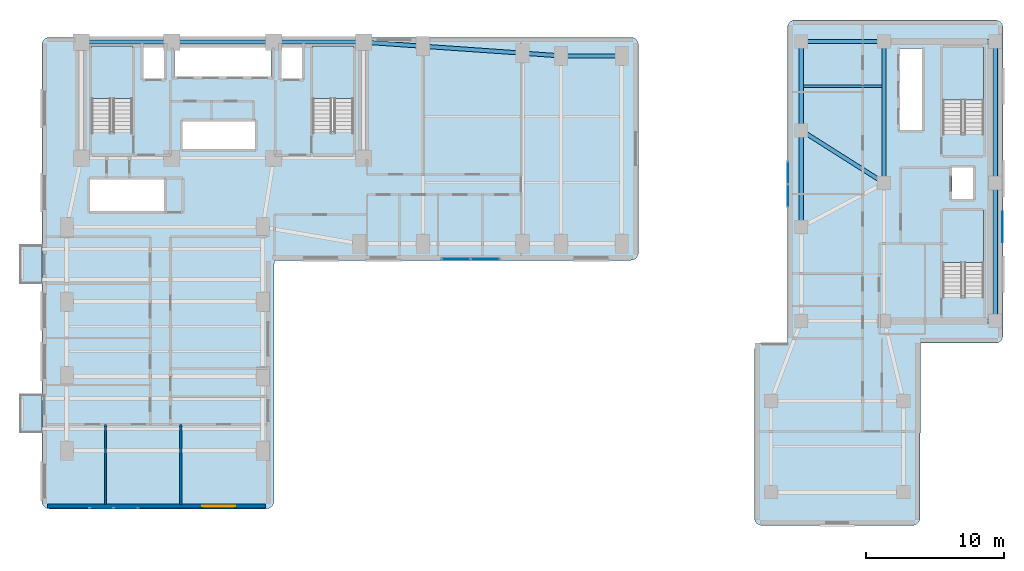
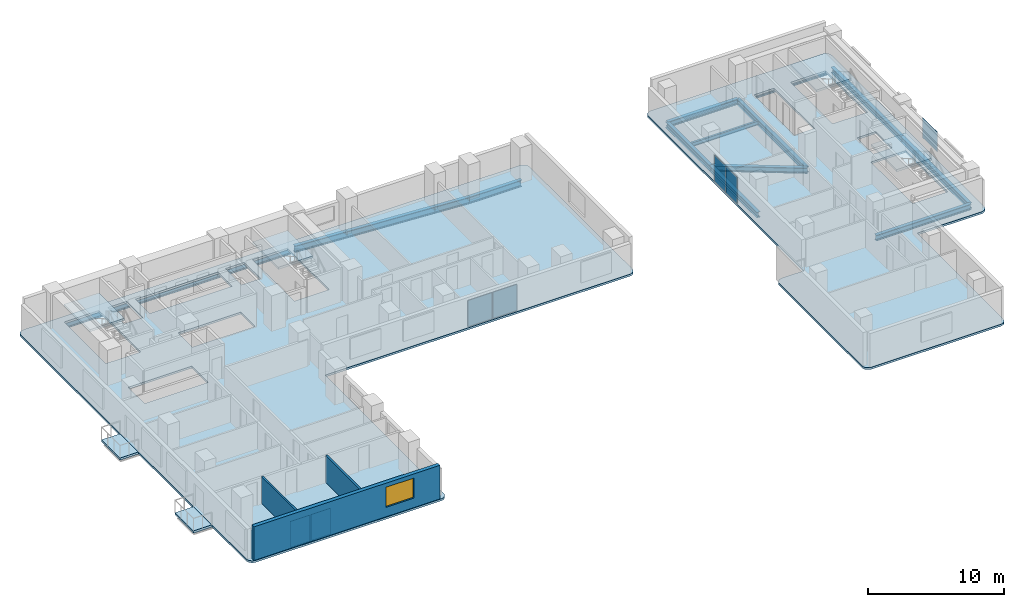
# One storey, part 9 of 18: 17 beams, 8 slabs, 7 plates, 3 walls, 1 window, 1 opening, 7 elements without a shape of their own.
"""IFC4 building model written with IfcOpenShell, lengths in metres."""

from ifc_helpers import new_model, si_unit, direction, frame, frame_2d, origin, origin_2d, place, context, subcontext, project, spatial, polyline, rectangle, i_section, outline, extrude, material, layer, layer_set, material_profile, profile_set, type_object, element, fill, aggregate, save


model = new_model("IFC4")

# Units and contexts
model_context = context("Model", 3, precision=1e-05, world=origin(), true_north=direction((0.0, 1.0)))
body_context = subcontext(model_context, "Body", "Model", "MODEL_VIEW")
ifc_project = project(units=[si_unit("LENGTHUNIT", "METRE"), si_unit("AREAUNIT", "SQUARE_METRE"), si_unit("VOLUMEUNIT", "CUBIC_METRE"), si_unit("PLANEANGLEUNIT", "RADIAN"), si_unit("MASSUNIT", "GRAM", prefix="KILO")], contexts=[model_context])

# Site, building, storey
site_placement = place(None, origin())
site = spatial("IfcSite", under=ifc_project, at=site_placement, CompositionType="ELEMENT")
building_placement = place(site_placement, origin())
building = spatial("IfcBuilding", under=site, at=building_placement, Name="Kuzgunbayir Cultural Tower", CompositionType="ELEMENT")
storey_placement = place(building_placement, frame((0.0, 0.0, 53.199951171875)))
storey = spatial("IfcBuildingStorey", under=building, at=storey_placement, Name="L14", CompositionType="ELEMENT", Elevation=53.199951171875)

# Beams
ifc_material_1 = material(Name="Steel S355J2", Category="steel")
ifc_material_profile_1 = material_profile(ifc_material_1, i_section(OverallWidth=0.300048828125, OverallDepth=0.5, WebThickness=0.014404296875, FlangeThickness=0.028076171875, FilletRadius=0.027099609375, at=origin_2d()), Name="HEB 500")
ifc_profile_set_1 = profile_set([ifc_material_profile_1], Name="Steel S355J2")
beam_type_1 = type_object("IfcBeamType", Name="BM-EXT-HEB500", PredefinedType="BEAM", material=ifc_profile_set_1)
beam_1_placement = place(storey_placement, frame((58.60009765625, 28.800048828125, -0.429931640625), z_axis=(0.0, 1.0, 0.0), x_axis=(-1.0, 0.0, 0.0)))
element("IfcBeam", 1, at=beam_1_placement, inside=storey, type_object=beam_type_1, Name="L14 Companion West Girder", PredefinedType="BEAM", context=body_context, shape_type="SweptSolid", body=[
    extrude(i_section(OverallWidth=0.300048828125, OverallDepth=0.5, WebThickness=0.014404296875, FlangeThickness=0.028076171875, FilletRadius=0.027099609375, at=origin_2d()), origin(), (0.0, 0.0, 1.0), 7.0),
])
beam_2_placement = place(storey_placement, frame((58.60009765625, 35.800048828125, -0.429931640625), z_axis=(0.0, 1.0, 0.0), x_axis=(-1.0, 0.0, 0.0)))
element("IfcBeam", 2, at=beam_2_placement, inside=storey, type_object=beam_type_1, Name="L14 Companion West Girder", PredefinedType="BEAM", context=body_context, shape_type="SweptSolid", body=[
    extrude(i_section(OverallWidth=0.300048828125, OverallDepth=0.5, WebThickness=0.014404296875, FlangeThickness=0.028076171875, FilletRadius=0.027099609375, at=origin_2d()), origin(), (0.0, 0.0, 1.0), 6.449951171875),
])
ifc_material_profile_2 = material_profile(ifc_material_1, i_section(OverallWidth=0.300048828125, OverallDepth=0.60009765625, WebThickness=0.015380859375, FlangeThickness=0.030029296875, FilletRadius=0.027099609375, at=origin_2d()), Name="HEB 600")
ifc_profile_set_2 = profile_set([ifc_material_profile_2], Name="Steel S355J2")
beam_type_2 = type_object("IfcBeamType", Name="BM-EXT-HEB600", PredefinedType="BEAM", material=ifc_profile_set_2)
beam_3_placement = place(storey_placement, frame((26.89990234375, 42.199951171875, -0.47998046875), z_axis=(0.997574369175, -0.069608749203, 0.0), x_axis=(0.069608749203, 0.997574369175, 0.0)))
element("IfcBeam", 3, at=beam_3_placement, inside=storey, type_object=beam_type_2, Name="L14 Wing B North Girder 1", PredefinedType="BEAM", context=body_context, shape_type="SweptSolid", body=[
    extrude(i_section(OverallWidth=0.300048828125, OverallDepth=0.60009765625, WebThickness=0.015380859375, FlangeThickness=0.030029296875, FilletRadius=0.027099609375, at=origin_2d()), origin(), (0.0, 0.0, 1.0), 4.310546875),
])
beam_4_placement = place(storey_placement, frame((31.199951171875, 41.89990234375, -0.47998046875), z_axis=(0.997597388498, -0.069278066245, 0.0), x_axis=(0.069278066245, 0.997597388498, 0.0)))
element("IfcBeam", 4, at=beam_4_placement, inside=storey, type_object=beam_type_2, Name="L14 Wing B North Girder 2", PredefinedType="BEAM", context=body_context, shape_type="SweptSolid", body=[
    extrude(i_section(OverallWidth=0.300048828125, OverallDepth=0.60009765625, WebThickness=0.015380859375, FlangeThickness=0.030029296875, FilletRadius=0.027099609375, at=origin_2d()), origin(), (0.0, 0.0, 1.0), 7.21728515625),
])
beam_5_placement = place(storey_placement, frame((38.39990234375, 41.39990234375, -0.47998046875), z_axis=(0.997460024076, -0.071228508128, 0.0), x_axis=(0.071228508128, 0.997460024076, 0.0)))
element("IfcBeam", 5, at=beam_5_placement, inside=storey, type_object=beam_type_2, Name="L14 Wing B North Girder 3", PredefinedType="BEAM", context=body_context, shape_type="SweptSolid", body=[
    extrude(i_section(OverallWidth=0.300048828125, OverallDepth=0.60009765625, WebThickness=0.015380859375, FlangeThickness=0.030029296875, FilletRadius=0.027099609375, at=origin_2d()), origin(), (0.0, 0.0, 1.0), 2.80712890625),
])
beam_6_placement = place(storey_placement, frame((41.199951171875, 41.199951171875, -0.47998046875), z_axis=(1.0, 0.0, 0.0), x_axis=(0.0, 1.0, 0.0)))
element("IfcBeam", 6, at=beam_6_placement, inside=storey, type_object=beam_type_2, Name="L14 Wing B North Girder 4", PredefinedType="BEAM", context=body_context, shape_type="SweptSolid", body=[
    extrude(i_section(OverallWidth=0.300048828125, OverallDepth=0.60009765625, WebThickness=0.015380859375, FlangeThickness=0.030029296875, FilletRadius=0.027099609375, at=origin_2d()), origin(), (0.0, 0.0, 1.0), 4.400146484375),
])
ifc_material_profile_3 = material_profile(ifc_material_1, i_section(OverallWidth=0.300048828125, OverallDepth=0.5, WebThickness=0.014404296875, FlangeThickness=0.028076171875, FilletRadius=0.027099609375, at=origin_2d()), Name="HEB 500")
ifc_profile_set_3 = profile_set([ifc_material_profile_3], Name="Steel S355J2")
beam_type_3 = type_object("IfcBeamType", Name="BM-GIR-HEB500", PredefinedType="BEAM", material=ifc_profile_set_3)
beam_7_placement = place(storey_placement, frame((58.60009765625, 35.800048828125, -0.429931640625), z_axis=(0.844815967829, -0.535056988088, 0.0), x_axis=(0.535056988088, 0.844815967829, 0.0)))
element("IfcBeam", 7, at=beam_7_placement, inside=storey, type_object=beam_type_3, Name="L14 Companion Transverse Girder 3", PredefinedType="BEAM", context=body_context, shape_type="SweptSolid", body=[
    extrude(i_section(OverallWidth=0.300048828125, OverallDepth=0.5, WebThickness=0.014404296875, FlangeThickness=0.028076171875, FilletRadius=0.027099609375, at=origin_2d()), origin(), (0.0, 0.0, 1.0), 7.10205078125),
])
beam_8_placement = place(storey_placement, frame((58.60009765625, 42.25, -0.429931640625), z_axis=(1.0, 0.0, 0.0), x_axis=(0.0, 1.0, 0.0)))
element("IfcBeam", 8, at=beam_8_placement, inside=storey, type_object=beam_type_3, Name="L14 Companion Transverse Girder 4", PredefinedType="BEAM", context=body_context, shape_type="SweptSolid", body=[
    extrude(i_section(OverallWidth=0.300048828125, OverallDepth=0.5, WebThickness=0.014404296875, FlangeThickness=0.028076171875, FilletRadius=0.027099609375, at=origin_2d()), origin(), (0.0, 0.0, 1.0), 6.0),
])
beam_9_placement = place(storey_placement, frame((64.60009765625, 32.0, -0.429931640625), z_axis=(0.0, 1.0, 0.0), x_axis=(-1.0, 0.0, 0.0)))
element("IfcBeam", 9, at=beam_9_placement, inside=storey, type_object=beam_type_3, Name="L14 Companion Core West Girder 2", PredefinedType="BEAM", context=body_context, shape_type="SweptSolid", body=[
    extrude(i_section(OverallWidth=0.300048828125, OverallDepth=0.5, WebThickness=0.014404296875, FlangeThickness=0.028076171875, FilletRadius=0.027099609375, at=origin_2d()), origin(), (0.0, 0.0, 1.0), 10.25),
])
beam_10_placement = place(storey_placement, frame((72.64990234375, 22.0, -0.429931640625), z_axis=(0.0, 1.0, 0.0), x_axis=(-1.0, 0.0, 0.0)))
element("IfcBeam", 10, at=beam_10_placement, inside=storey, type_object=beam_type_3, Name="L14 Companion Core East Girder 1", PredefinedType="BEAM", context=body_context, shape_type="SweptSolid", body=[
    extrude(i_section(OverallWidth=0.300048828125, OverallDepth=0.5, WebThickness=0.014404296875, FlangeThickness=0.028076171875, FilletRadius=0.027099609375, at=origin_2d()), origin(), (0.0, 0.0, 1.0), 10.0),
])
beam_11_placement = place(storey_placement, frame((72.64990234375, 32.0, -0.429931640625), z_axis=(0.0, 1.0, 0.0), x_axis=(-1.0, 0.0, 0.0)))
element("IfcBeam", 11, at=beam_11_placement, inside=storey, type_object=beam_type_3, Name="L14 Companion Core East Girder 2", PredefinedType="BEAM", context=body_context, shape_type="SweptSolid", body=[
    extrude(i_section(OverallWidth=0.300048828125, OverallDepth=0.5, WebThickness=0.014404296875, FlangeThickness=0.028076171875, FilletRadius=0.027099609375, at=origin_2d()), origin(), (0.0, 0.0, 1.0), 10.25),
])
for number, where, z_axis, x_axis, name in (
    (12, (64.60009765625, 22.0, -0.429931640625), (1.0, 0.0, 0.0), (0.0, 1.0, 0.0), "L14 Companion Core South Girder"),
    (13, (64.60009765625, 42.25, -0.429931640625), (1.0, 0.0, 0.0), (0.0, 1.0, 0.0), "L14 Companion Core North Girder"),
):
    element("IfcBeam", number, at=place(storey_placement, frame(where, z_axis=z_axis, x_axis=x_axis)), inside=storey, type_object=beam_type_3, Name=name, PredefinedType="BEAM", context=body_context, shape_type="SweptSolid", body=[
        extrude(i_section(OverallWidth=0.300048828125, OverallDepth=0.5, WebThickness=0.014404296875, FlangeThickness=0.028076171875, FilletRadius=0.027099609375, at=origin_2d()), origin(), (0.0, 0.0, 1.0), 8.0498046875),
    ])
ifc_material_profile_4 = material_profile(ifc_material_1, i_section(OverallWidth=0.300048828125, OverallDepth=0.60009765625, WebThickness=0.015380859375, FlangeThickness=0.030029296875, FilletRadius=0.027099609375, at=origin_2d()), Name="HEB 600")
ifc_profile_set_4 = profile_set([ifc_material_profile_4], Name="Steel S355J2")
beam_type_4 = type_object("IfcBeamType", Name="BM-GIR-HEB600", PredefinedType="BEAM", material=ifc_profile_set_4)
beam_12_placement = place(storey_placement, frame((6.449951171875, 42.199951171875, -0.47998046875), z_axis=(1.0, 0.0, 0.0), x_axis=(0.0, 1.0, 0.0)))
element("IfcBeam", 14, at=beam_12_placement, inside=storey, type_object=beam_type_4, Name="L14 Core North Girder 1", PredefinedType="BEAM", context=body_context, shape_type="SweptSolid", body=[
    extrude(i_section(OverallWidth=0.300048828125, OverallDepth=0.60009765625, WebThickness=0.015380859375, FlangeThickness=0.030029296875, FilletRadius=0.027099609375, at=origin_2d()), origin(), (0.0, 0.0, 1.0), 6.550048828125),
])
beam_13_placement = place(storey_placement, frame((13.0, 42.199951171875, -0.47998046875), z_axis=(1.0, 0.0, 0.0), x_axis=(0.0, 1.0, 0.0)))
element("IfcBeam", 15, at=beam_13_placement, inside=storey, type_object=beam_type_4, Name="L14 Core North Girder 2", PredefinedType="BEAM", context=body_context, shape_type="SweptSolid", body=[
    extrude(i_section(OverallWidth=0.300048828125, OverallDepth=0.60009765625, WebThickness=0.015380859375, FlangeThickness=0.030029296875, FilletRadius=0.027099609375, at=origin_2d()), origin(), (0.0, 0.0, 1.0), 7.39990234375),
])
beam_14_placement = place(storey_placement, frame((20.39990234375, 42.199951171875, -0.47998046875), z_axis=(1.0, 0.0, 0.0), x_axis=(0.0, 1.0, 0.0)))
element("IfcBeam", 16, at=beam_14_placement, inside=storey, type_object=beam_type_4, Name="L14 Core North Girder 3", PredefinedType="BEAM", context=body_context, shape_type="SweptSolid", body=[
    extrude(i_section(OverallWidth=0.300048828125, OverallDepth=0.60009765625, WebThickness=0.015380859375, FlangeThickness=0.030029296875, FilletRadius=0.027099609375, at=origin_2d()), origin(), (0.0, 0.0, 1.0), 6.5),
])
ifc_material_profile_5 = material_profile(ifc_material_1, i_section(OverallWidth=0.169921875, OverallDepth=0.360107421875, WebThickness=0.008056640625, FlangeThickness=0.0126953125, FilletRadius=0.01806640625, at=origin_2d()), Name="IPE 360")
ifc_profile_set_5 = profile_set([ifc_material_profile_5], Name="Steel S355J2")
beam_type_5 = type_object("IfcBeamType", Name="BM-JST-IPE360", PredefinedType="JOIST", material=ifc_profile_set_5)
beam_15_placement = place(storey_placement, frame((58.75, 39.0, -0.35986328125), z_axis=(1.0, 0.0, 0.0), x_axis=(0.0, 1.0, 0.0)))
element("IfcBeam", 17, at=beam_15_placement, inside=storey, type_object=beam_type_5, Name="L14 Companion Joist", PredefinedType="JOIST", context=body_context, shape_type="SweptSolid", body=[
    extrude(i_section(OverallWidth=0.169921875, OverallDepth=0.360107421875, WebThickness=0.008056640625, FlangeThickness=0.0126953125, FilletRadius=0.01806640625, at=origin_2d()), origin(), (0.0, 0.0, 1.0), 5.699951171875),
])

# Curtain wall, plates
ifc_material_2 = material(Name="Anodised Aluminium Framing", Category="aluminium")
curtain_wall_type_1 = type_object("IfcCurtainWallType", Name="CW03-T1-OFFICE", PredefinedType="NOTDEFINED", material=ifc_material_2)
curtain_wall_1_placement = place(storey_placement, origin())
curtain_wall_1 = element("IfcCurtainWall", 18, at=curtain_wall_1_placement, inside=storey, type_object=curtain_wall_type_1, Name="L14 Wing A South Feature Curtain Wall", PredefinedType="NOTDEFINED")
ifc_material_3 = material(Name="Solar-Control Triple Glazing", Category="glass")
ifc_layer_1 = layer(ifc_material_3, 0.035888671875)
ifc_layer_set_1 = layer_set([ifc_layer_1], Name="Solar-Control Triple Glazing")
plate_type_1 = type_object("IfcPlateType", Name="PLT-CW-GLASS-36", PredefinedType="CURTAIN_PANEL", material=ifc_layer_set_1)
plate_1_placement = place(storey_placement, frame((7.918701171875, 8.47998046875, 0.06005859375), z_axis=(0.0, 0.0, 1.0), x_axis=(1.0, 0.0, 0.0)))
plate_1 = element("IfcPlate", 19, at=plate_1_placement, type_object=plate_type_1, Name="CW03 panel 1.1", PredefinedType="CURTAIN_PANEL", context=body_context, shape_type="SweptSolid", body=[
    extrude(rectangle(XDim=1.6875, YDim=0.035888671875, at=origin_2d()), origin(), (0.0, 0.0, 1.0), 2.35009765625),
])
plate_2_placement = place(storey_placement, frame((9.68115234375, 8.47998046875, 0.06005859375), z_axis=(0.0, 0.0, 1.0), x_axis=(1.0, 0.0, 0.0)))
plate_2 = element("IfcPlate", 20, at=plate_2_placement, type_object=plate_type_1, Name="CW03 panel 2.1", PredefinedType="CURTAIN_PANEL", context=body_context, shape_type="SweptSolid", body=[
    extrude(rectangle(XDim=1.6875, YDim=0.035888671875, at=origin_2d()), origin(), (0.0, 0.0, 1.0), 2.35009765625),
])
aggregate(curtain_wall_1, [plate_1, plate_2])

curtain_wall_2_placement = place(storey_placement, origin())
curtain_wall_2 = element("IfcCurtainWall", 21, at=curtain_wall_2_placement, inside=storey, type_object=curtain_wall_type_1, Name="L14 Wing B South Feature Curtain Wall", PredefinedType="NOTDEFINED")
plate_3_placement = place(storey_placement, frame((33.59375, 26.47998046875, 0.06005859375), z_axis=(0.0, 0.0, 1.0), x_axis=(1.0, 0.0, 0.0)))
plate_3 = element("IfcPlate", 22, at=plate_3_placement, type_object=plate_type_1, Name="CW03 panel 1.1", PredefinedType="CURTAIN_PANEL", context=body_context, shape_type="SweptSolid", body=[
    extrude(rectangle(XDim=2.03759765625, YDim=0.035888671875, at=origin_2d()), origin(), (0.0, 0.0, 1.0), 2.35009765625),
])
plate_4_placement = place(storey_placement, frame((35.706298828125, 26.47998046875, 0.06005859375), z_axis=(0.0, 0.0, 1.0), x_axis=(1.0, 0.0, 0.0)))
plate_4 = element("IfcPlate", 23, at=plate_4_placement, type_object=plate_type_1, Name="CW03 panel 2.1", PredefinedType="CURTAIN_PANEL", context=body_context, shape_type="SweptSolid", body=[
    extrude(rectangle(XDim=2.03759765625, YDim=0.035888671875, at=origin_2d()), origin(), (0.0, 0.0, 1.0), 2.35009765625),
])
aggregate(curtain_wall_2, [plate_3, plate_4])

curtain_wall_type_2 = type_object("IfcCurtainWallType", Name="CW04-T2-CULTURAL", PredefinedType="NOTDEFINED", material=ifc_material_2)
curtain_wall_3_placement = place(storey_placement, origin())
curtain_wall_3 = element("IfcCurtainWall", 24, at=curtain_wall_3_placement, inside=storey, type_object=curtain_wall_type_2, Name="L14 Companion Cultural Curtain Wall", PredefinedType="NOTDEFINED")
plate_5_placement = place(storey_placement, frame((57.6201171875, 31.06494140625, 0.06005859375), z_axis=(0.0, 0.0, 1.0), x_axis=(0.0, 1.0, 0.0)))
plate_5 = element("IfcPlate", 25, at=plate_5_placement, type_object=plate_type_1, Name="CW04 panel 1.1", PredefinedType="CURTAIN_PANEL", context=body_context, shape_type="SweptSolid", body=[
    extrude(rectangle(XDim=1.610107421875, YDim=0.035888671875, at=origin_2d()), origin(), (0.0, 0.0, 1.0), 2.35009765625),
])
plate_6_placement = place(storey_placement, frame((57.6201171875, 32.735107421875, 0.06005859375), z_axis=(0.0, 0.0, 1.0), x_axis=(0.0, 1.0, 0.0)))
plate_6 = element("IfcPlate", 26, at=plate_6_placement, type_object=plate_type_1, Name="CW04 panel 2.1", PredefinedType="CURTAIN_PANEL", context=body_context, shape_type="SweptSolid", body=[
    extrude(rectangle(XDim=1.610107421875, YDim=0.035888671875, at=origin_2d()), origin(), (0.0, 0.0, 1.0), 2.35009765625),
])
aggregate(curtain_wall_3, [plate_5, plate_6])

# Plate
ifc_material_4 = material(Name="Perforated Bronze-Anodised Aluminium", Category="aluminium")
ifc_layer_2 = layer(ifc_material_4, 0.02392578125)
ifc_layer_set_2 = layer_set([ifc_layer_2], Name="Perforated Bronze-Anodised Aluminium")
plate_type_2 = type_object("IfcPlateType", Name="PLT-SOLAR-SCREEN-14", PredefinedType="SHEET", material=ifc_layer_set_2)
plate_7_placement = place(storey_placement, frame((73.169921875, 28.800048828125, 0.75), z_axis=(0.0, 0.0, 1.0), x_axis=(1.0, 0.0, 0.0)))
element("IfcPlate", 27, at=plate_7_placement, inside=storey, type_object=plate_type_2, Name="L14 Companion Perforated Ceramic Solar Screen Panel", PredefinedType="SHEET", context=body_context, shape_type="SweptSolid", body=[
    extrude(rectangle(XDim=0.02392578125, YDim=2.199951171875, at=origin_2d()), origin(), (0.0, 0.0, 1.0), 1.800048828125),
])

# Slabs
ifc_material_5 = material(Name="Concrete C40/50", Category="concrete")
ifc_layer_3 = layer(ifc_material_5, 0.199951171875)
ifc_layer_set_3 = layer_set([ifc_layer_3], Name="Concrete C40/50")
slab_type_1 = type_object("IfcSlabType", Name="SLB-BAL-STONE", PredefinedType="FLOOR", material=ifc_layer_set_3)
slab_1_placement = place(storey_placement, frame((0.0, 0.0, -0.199951171875)))
element("IfcSlab", 28, at=slab_1_placement, inside=storey, type_object=slab_type_1, Name="L14 Projecting Limestone Balcony BAL-L14-WA1", PredefinedType="FLOOR", context=body_context, shape_type="SweptSolid", body=[
    extrude(outline(polyline([(2.0400390625, 13.949951171875), (3.60009765625, 13.949951171875), (3.60009765625, 16.64990234375), (2.0400390625, 16.64990234375), (2.0400390625, 13.949951171875)])), origin(), (0.0, 0.0, 1.0), 0.199951171875),
])
slab_2_placement = place(storey_placement, frame((0.0, 0.0, -0.199951171875)))
element("IfcSlab", 29, at=slab_2_placement, inside=storey, type_object=slab_type_1, Name="L14 Projecting Limestone Balcony BAL-L14-WA3", PredefinedType="FLOOR", context=body_context, shape_type="SweptSolid", body=[
    extrude(outline(polyline([(2.0400390625, 24.75), (3.60009765625, 24.75), (3.60009765625, 27.449951171875), (2.0400390625, 27.449951171875), (2.0400390625, 24.75)])), origin(), (0.0, 0.0, 1.0), 0.199951171875),
])

# Stair, slab
stair_type = type_object("IfcStairType", Name="STR-EXIT-CORE", PredefinedType="HALF_TURN_STAIR", material=ifc_material_5)
stair_1_placement = place(storey_placement, origin())
stair_1 = element("IfcStair", 30, at=stair_1_placement, inside=storey, type_object=stair_type, Name="L14 ST-1", PredefinedType="HALF_TURN_STAIR")
ifc_layer_4 = layer(ifc_material_5, 0.179931640625)
ifc_layer_set_4 = layer_set([ifc_layer_4], Name="Concrete C40/50")
slab_type_2 = type_object("IfcSlabType", Name="SLB-LANDING-180", PredefinedType="LANDING", material=ifc_layer_set_4)
slab_3_placement = place(storey_placement, frame((0.0, 0.0, 1.400146484375)))
slab_3 = element("IfcSlab", 31, at=slab_3_placement, type_object=slab_type_2, Name="ST-1 landing 1", PredefinedType="LANDING", context=body_context, shape_type="SweptSolid", body=[
    extrude(outline(polyline([(10.159912109375, 38.1201171875), (10.159912109375, 41.89990234375), (7.199951171875, 41.89990234375), (7.199951171875, 38.1201171875), (10.159912109375, 38.1201171875)])), origin(), (0.0, 0.0, 1.0), 0.199951171875),
])
aggregate(stair_1, [slab_3])

stair_2_placement = place(storey_placement, origin())
stair_2 = element("IfcStair", 32, at=stair_2_placement, inside=storey, type_object=stair_type, Name="L14 ST-2", PredefinedType="HALF_TURN_STAIR")
slab_4_placement = place(storey_placement, frame((0.0, 0.0, 1.400146484375)))
slab_4 = element("IfcSlab", 33, at=slab_4_placement, type_object=slab_type_2, Name="ST-2 landing 1", PredefinedType="LANDING", context=body_context, shape_type="SweptSolid", body=[
    extrude(outline(polyline([(26.159912109375, 38.1201171875), (26.159912109375, 41.89990234375), (23.199951171875, 41.89990234375), (23.199951171875, 38.1201171875), (26.159912109375, 38.1201171875)])), origin(), (0.0, 0.0, 1.0), 0.199951171875),
])
aggregate(stair_2, [slab_4])

stair_3_placement = place(storey_placement, origin())
stair_3 = element("IfcStair", 34, at=stair_3_placement, inside=storey, type_object=stair_type, Name="L14 ST-3", PredefinedType="HALF_TURN_STAIR")
slab_5_placement = place(storey_placement, frame((0.0, 0.0, 1.400146484375)))
slab_5 = element("IfcSlab", 35, at=slab_5_placement, type_object=slab_type_2, Name="ST-3 landing 1", PredefinedType="LANDING", context=body_context, shape_type="SweptSolid", body=[
    extrude(outline(polyline([(71.800048828125, 26.219970703125), (71.800048828125, 30.0), (68.840087890625, 30.0), (68.840087890625, 26.219970703125), (71.800048828125, 26.219970703125)])), origin(), (0.0, 0.0, 1.0), 0.199951171875),
])
aggregate(stair_3, [slab_5])

stair_4_placement = place(storey_placement, origin())
stair_4 = element("IfcStair", 36, at=stair_4_placement, inside=storey, type_object=stair_type, Name="L14 ST-4", PredefinedType="HALF_TURN_STAIR")
slab_6_placement = place(storey_placement, frame((0.0, 0.0, 1.400146484375)))
slab_6 = element("IfcSlab", 37, at=slab_6_placement, type_object=slab_type_2, Name="ST-4 landing 1", PredefinedType="LANDING", context=body_context, shape_type="SweptSolid", body=[
    extrude(outline(polyline([(71.800048828125, 38.02001953125), (71.800048828125, 41.800048828125), (68.840087890625, 41.800048828125), (68.840087890625, 38.02001953125), (71.800048828125, 38.02001953125)])), origin(), (0.0, 0.0, 1.0), 0.199951171875),
])
aggregate(stair_4, [slab_6])

# Slabs
ifc_layer_5 = layer(ifc_material_5, 0.179931640625)
ifc_layer_set_5 = layer_set([ifc_layer_5], Name="Concrete C40/50")
slab_type_3 = type_object("IfcSlabType", Name="SLB-TYP-180", PredefinedType="FLOOR", material=ifc_layer_set_5)
slab_7_placement = place(storey_placement, frame((0.0, 0.0, -0.179931640625)))
element("IfcSlab", 38, at=slab_7_placement, inside=storey, type_object=slab_type_3, Name="L14 Tower 1 Floor Slab T1-MAIN", PredefinedType="FLOOR", context=body_context, shape_type="SweptSolid", body=[
    extrude(outline(polyline([(20.39990234375, 8.949951171875), (20.389892578125, 8.840087890625), (20.360107421875, 8.739990234375), (20.31005859375, 8.639892578125), (20.239990234375, 8.56005859375), (20.159912109375, 8.489990234375), (20.06005859375, 8.43994140625), (19.9599609375, 8.409912109375), (19.85009765625, 8.39990234375), (4.14990234375, 8.39990234375), (4.0400390625, 8.409912109375), (3.93994140625, 8.43994140625), (3.840087890625, 8.489990234375), (3.760009765625, 8.56005859375), (3.68994140625, 8.639892578125), (3.639892578125, 8.739990234375), (3.610107421875, 8.840087890625), (3.60009765625, 8.949951171875), (3.60009765625, 42.0), (3.610107421875, 42.110107421875), (3.639892578125, 42.2099609375), (3.68994140625, 42.31005859375), (3.760009765625, 42.389892578125), (3.840087890625, 42.4599609375), (3.93994140625, 42.510009765625), (4.0400390625, 42.5400390625), (4.14990234375, 42.550048828125), (46.25, 42.550048828125), (46.360107421875, 42.5400390625), (46.4599609375, 42.510009765625), (46.56005859375, 42.4599609375), (46.639892578125, 42.389892578125), (46.7099609375, 42.31005859375), (46.760009765625, 42.2099609375), (46.7900390625, 42.110107421875), (46.800048828125, 42.0), (46.800048828125, 26.949951171875), (46.7900390625, 26.840087890625), (46.760009765625, 26.739990234375), (46.7099609375, 26.639892578125), (46.639892578125, 26.56005859375), (46.56005859375, 26.489990234375), (46.4599609375, 26.43994140625), (46.360107421875, 26.409912109375), (46.25, 26.39990234375), (20.429931640625, 26.39990234375), (20.39990234375, 8.949951171875)]), holes=[polyline([(7.199951171875, 35.760009765625), (7.199951171875, 41.89990234375), (10.159912109375, 41.89990234375), (10.159912109375, 35.760009765625), (7.199951171875, 35.760009765625)]), polyline([(23.199951171875, 35.760009765625), (23.199951171875, 41.89990234375), (26.159912109375, 41.89990234375), (26.159912109375, 35.760009765625), (23.199951171875, 35.760009765625)]), polyline([(13.199951171875, 39.699951171875), (13.199951171875, 41.800048828125), (20.199951171875, 41.800048828125), (20.199951171875, 39.699951171875), (13.199951171875, 39.699951171875)]), polyline([(13.75, 34.39990234375), (13.75, 36.5), (19.080078125, 36.5), (19.080078125, 34.39990234375), (13.75, 34.39990234375)]), polyline([(7.10009765625, 29.89990234375), (7.10009765625, 32.300048828125), (12.5, 32.300048828125), (12.5, 29.89990234375), (7.10009765625, 29.89990234375)]), polyline([(10.89990234375, 39.5), (10.89990234375, 41.89990234375), (12.5, 41.89990234375), (12.5, 39.5), (10.89990234375, 39.5)]), polyline([(20.89990234375, 39.5), (20.89990234375, 41.89990234375), (22.5, 41.89990234375), (22.5, 39.5), (20.89990234375, 39.5)])]), origin(), (0.0, 0.0, 1.0), 0.179931640625),
])
slab_8_placement = place(storey_placement, frame((0.0, 0.0, -0.179931640625)))
element("IfcSlab", 39, at=slab_8_placement, inside=storey, type_object=slab_type_3, Name="L14 Companion Tower 2 Floor Slab", PredefinedType="FLOOR", context=body_context, shape_type="SweptSolid", body=[
    extrude(outline(polyline([(57.60009765625, 20.39990234375), (57.60009765625, 43.25), (57.610107421875, 43.360107421875), (57.639892578125, 43.4599609375), (57.68994140625, 43.56005859375), (57.760009765625, 43.639892578125), (57.840087890625, 43.7099609375), (57.93994140625, 43.760009765625), (58.0400390625, 43.7900390625), (58.14990234375, 43.800048828125), (72.64990234375, 43.800048828125), (72.760009765625, 43.7900390625), (72.860107421875, 43.760009765625), (72.9599609375, 43.7099609375), (73.0400390625, 43.639892578125), (73.110107421875, 43.56005859375), (73.159912109375, 43.4599609375), (73.18994140625, 43.360107421875), (73.199951171875, 43.25), (73.199951171875, 20.949951171875), (73.18994140625, 20.840087890625), (73.159912109375, 20.739990234375), (73.110107421875, 20.639892578125), (73.0400390625, 20.56005859375), (72.9599609375, 20.489990234375), (72.860107421875, 20.43994140625), (72.760009765625, 20.409912109375), (72.64990234375, 20.39990234375), (67.22998046875, 20.39990234375), (67.199951171875, 7.75), (67.18994140625, 7.639892578125), (67.159912109375, 7.5400390625), (67.110107421875, 7.43994140625), (67.0400390625, 7.360107421875), (66.9599609375, 7.2900390625), (66.860107421875, 7.239990234375), (66.760009765625, 7.2099609375), (66.64990234375, 7.199951171875), (55.75, 7.199951171875), (55.639892578125, 7.2099609375), (55.5400390625, 7.239990234375), (55.43994140625, 7.2900390625), (55.360107421875, 7.360107421875), (55.2900390625, 7.43994140625), (55.239990234375, 7.5400390625), (55.2099609375, 7.639892578125), (55.199951171875, 7.75), (55.199951171875, 19.85009765625), (55.2099609375, 19.9599609375), (55.239990234375, 20.06005859375), (55.2900390625, 20.159912109375), (55.360107421875, 20.239990234375), (55.43994140625, 20.31005859375), (55.5400390625, 20.360107421875), (55.639892578125, 20.389892578125), (55.75, 20.39990234375), (57.570068359375, 20.39990234375), (57.60009765625, 20.39990234375)]), holes=[polyline([(68.840087890625, 23.860107421875), (68.840087890625, 30.0), (71.800048828125, 30.0), (71.800048828125, 23.860107421875), (68.840087890625, 23.860107421875)]), polyline([(68.840087890625, 35.659912109375), (68.840087890625, 41.800048828125), (71.800048828125, 41.800048828125), (71.800048828125, 35.659912109375), (68.840087890625, 35.659912109375)]), polyline([(65.699951171875, 35.800048828125), (65.699951171875, 41.75), (67.39990234375, 41.75), (67.39990234375, 35.800048828125), (65.699951171875, 35.800048828125)]), polyline([(69.5, 30.800048828125), (69.5, 33.199951171875), (71.10009765625, 33.199951171875), (71.10009765625, 30.800048828125), (69.5, 30.800048828125)])]), origin(), (0.0, 0.0, 1.0), 0.179931640625),
])

# Wall, opening, window
ifc_material_6 = material(Name="Travertine Buff Ashlar", Category="masonry")
ifc_layer_6 = layer(ifc_material_6, 0.320068359375)
ifc_layer_set_6 = layer_set([ifc_layer_6], Name="Travertine Buff Ashlar")
wall_type_1 = type_object("IfcWallType", Name="WAL-EXT-STONE-320", PredefinedType="STANDARD", material=ifc_layer_set_6)
wall_placement = place(storey_placement, frame((4.0, 8.60009765625, 0.0), z_axis=(0.0, 0.0, 1.0), x_axis=(1.0, 0.0, 0.0)))
wall = element("IfcWall", 40, at=wall_placement, inside=storey, type_object=wall_type_1, Name="L14 Wing A South Limestone Wall", PredefinedType="STANDARD", context=body_context, shape_type="SweptSolid", body=[
    extrude(rectangle(XDim=15.800048828125, YDim=0.320068359375, at=frame_2d((7.89990234375, 0.0))), origin(), (0.0, 0.0, 1.0), 3.02001953125),
])
opening_placement = place(wall_placement, frame((11.199951171875, 0.0, 0.85009765625)))
opening = element("IfcOpeningElement", 41, at=opening_placement, cuts=wall, Name="Opening WO-24", PredefinedType="OPENING", context=body_context, shape_type="SweptSolid", body=[
    extrude(rectangle(XDim=2.39990234375, YDim=1.800048828125, at=frame_2d((1.199951171875, 0.89990234375))), frame((0.0, 0.169921875, 0.0), z_axis=(0.0, -1.0, 0.0), x_axis=(1.0, 0.0, 0.0)), (0.0, 0.0, 1.0), 0.340087890625),
])
window_type = type_object("IfcWindowType", Name="WIN-OFFICE-24", PartitioningType="SINGLE_PANEL", PredefinedType="WINDOW", material=ifc_material_3)
window_placement = place(opening_placement, origin())
window = element("IfcWindow", 42, at=window_placement, inside=storey, type_object=window_type, Name="L14 WAS Facade Window 12", OverallHeight=1.800048828125, OverallWidth=2.39990234375, PartitioningType="SINGLE_PANEL", PredefinedType="WINDOW", context=body_context, shape_type="SweptSolid", body=[
    extrude(rectangle(XDim=2.39990234375, YDim=1.800048828125, at=frame_2d((1.199951171875, 0.89990234375))), frame((0.0, 0.030029296875, 0.0), z_axis=(0.0, -1.0, 0.0), x_axis=(1.0, 0.0, 0.0)), (0.0, 0.0, 1.0), 0.06005859375),
])
fill(opening, window)

# Walls
ifc_material_7 = material(Name="Acoustic Double-Stud Drywall", Category="gypsum")
ifc_layer_7 = layer(ifc_material_7, 0.14990234375)
ifc_layer_set_7 = layer_set([ifc_layer_7], Name="Acoustic Double-Stud Drywall")
wall_type_2 = type_object("IfcWallType", Name="WAL-PART-ACOUSTIC-150", PredefinedType="PARTITIONING", material=ifc_layer_set_7)
for number, where, z_axis, x_axis, name in (
    (43, (8.219970703125, 8.699951171875, 0.0), (0.0, 0.0, 1.0), (0.0, 1.0, 0.0), "L14 South Suite Divider 1"),
    (44, (13.659912109375, 8.699951171875, 0.0), (0.0, 0.0, 1.0), (0.0, 1.0, 0.0), "L14 South Suite Divider 2"),
):
    element("IfcWall", number, at=place(storey_placement, frame(where, z_axis=z_axis, x_axis=x_axis)), inside=storey, type_object=wall_type_2, Name=name, PredefinedType="PARTITIONING", context=body_context, shape_type="SweptSolid", body=[
        extrude(rectangle(XDim=5.800048828125, YDim=0.14990234375, at=frame_2d((2.89990234375, 0.0))), origin(), (0.0, 0.0, 1.0), 2.41015625),
    ])

save(model, "model.ifc")
